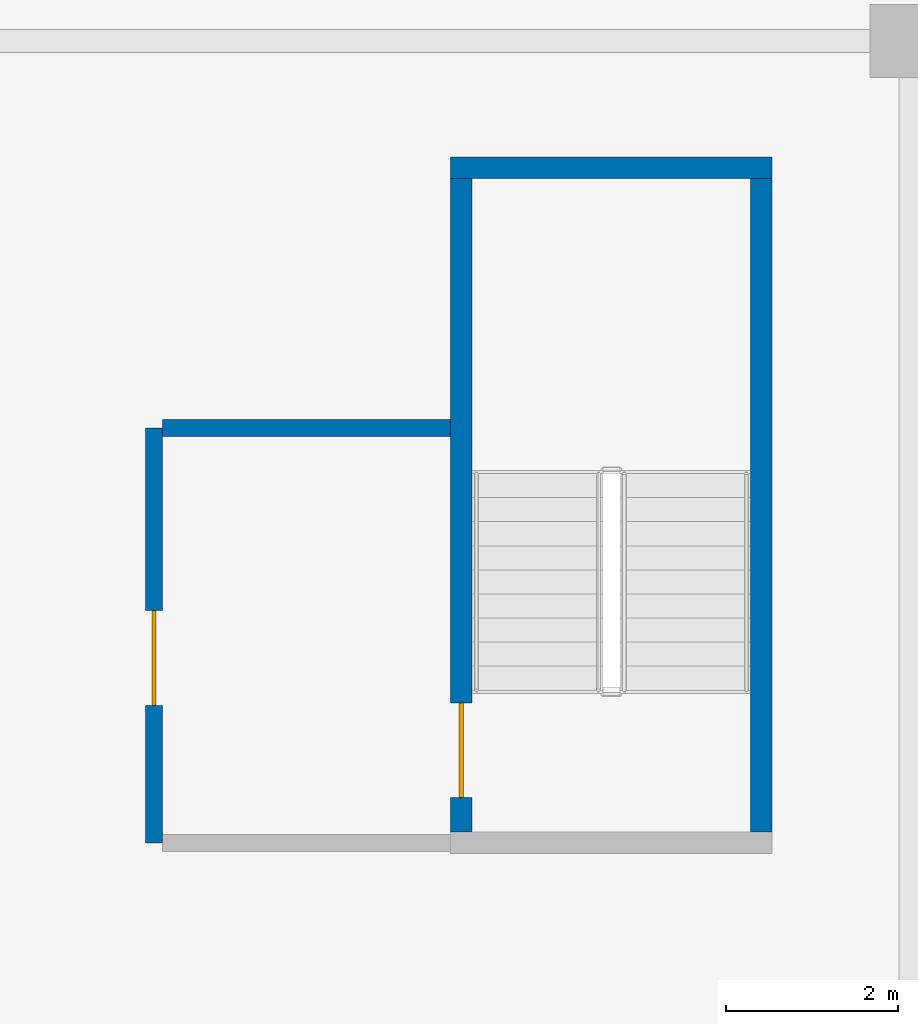
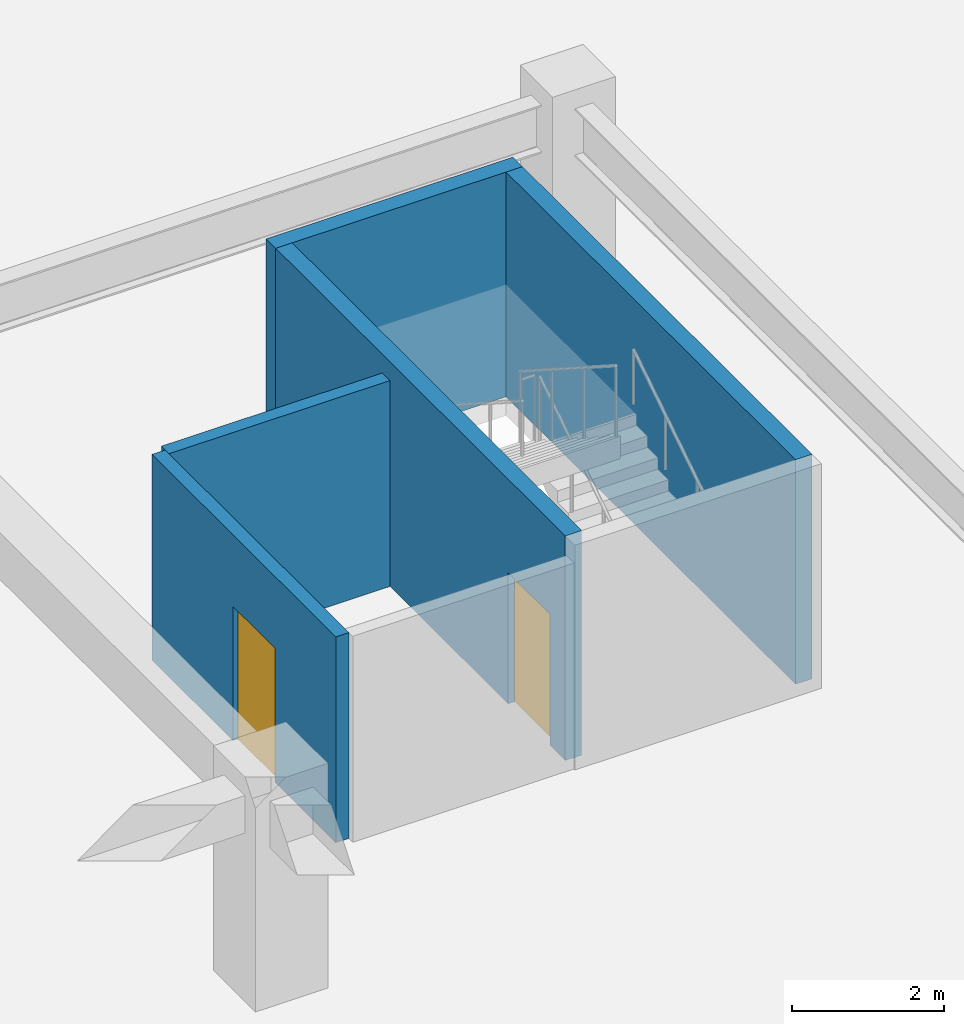
# One storey, part 13 of 22: 5 walls, 2 doors, 2 openings.
"""IFC4 building model written with IfcOpenShell, lengths in metres."""

from ifc_helpers import new_model, si_unit, direction, frame, frame_2d, origin, place, context, subcontext, project, spatial, rectangle, extrude, material, layer, layer_set, type_object, element, fill, save


model = new_model("IFC4")

# Units and contexts
model_context = context("Model", 3, precision=1e-05, world=origin(), true_north=direction((0.0, 1.0)))
body_context = subcontext(model_context, "Body", "Model", "MODEL_VIEW")
ifc_project = project(units=[si_unit("LENGTHUNIT", "METRE"), si_unit("AREAUNIT", "SQUARE_METRE"), si_unit("VOLUMEUNIT", "CUBIC_METRE"), si_unit("PLANEANGLEUNIT", "RADIAN"), si_unit("MASSUNIT", "GRAM", prefix="KILO")], contexts=[model_context])

# Site, building, storey
site_placement = place(None, origin())
site = spatial("IfcSite", under=ifc_project, at=site_placement, CompositionType="ELEMENT")
building_placement = place(site_placement, origin())
building = spatial("IfcBuilding", under=site, at=building_placement, Name="Korimba Cascade Residences", CompositionType="ELEMENT")
storey_placement = place(building_placement, frame((0.0, 0.0, -7.199951171875)))
storey = spatial("IfcBuildingStorey", under=building, at=storey_placement, Name="B02", CompositionType="ELEMENT", Elevation=-7.199951171875)

# Wall, opening, door
ifc_material_1 = material(Name="Concrete C40/50", Category="concrete")
ifc_layer_1 = layer(ifc_material_1, 0.199951171875)
ifc_layer_set_1 = layer_set([ifc_layer_1], Name="Concrete C40/50")
wall_type_1 = type_object("IfcWallType", Name="WAL-PART-200", PredefinedType="PARTITIONING", material=ifc_layer_set_1)
wall_1_placement = place(storey_placement, frame((130.800048828125, 81.875, 0.0), z_axis=(0.0, 0.0, 1.0), x_axis=(0.0, 1.0, 0.0)))
wall_1 = element("IfcWall", 1, at=wall_1_placement, inside=storey, type_object=wall_type_1, Name="B02 Partition Wall CW-B02-PL4W", PredefinedType="PARTITIONING", context=body_context, shape_type="SweptSolid", body=[
    extrude(rectangle(XDim=4.824951171875, YDim=0.199951171875, at=frame_2d((2.41259765625, 0.0))), origin(), (0.0, 0.0, 1.0), 3.300048828125),
])
opening_1_placement = place(wall_1_placement, frame((1.60009765625, 0.0, 0.0)))
opening_1 = element("IfcOpeningElement", 2, at=opening_1_placement, cuts=wall_1, Name="Opening D-FD6", PredefinedType="OPENING", context=body_context, shape_type="SweptSolid", body=[
    extrude(rectangle(XDim=1.10009765625, YDim=2.14990234375, at=frame_2d((0.550048828125, 1.074951171875))), frame((0.0, 0.10986328125, 0.0), z_axis=(0.0, -1.0, 0.0), x_axis=(1.0, 0.0, 0.0)), (0.0, 0.0, 1.0), 0.219970703125),
])
ifc_material_2 = material(Name="Fire-Rated Timber Stair Lobby Door", Category="wood")
door_type_1 = type_object("IfcDoorType", Name="DR-FD90-1100", OperationType="NOTDEFINED", PredefinedType="DOOR", material=ifc_material_2)
door_1_placement = place(opening_1_placement, origin())
door_1 = element("IfcDoor", 3, at=door_1_placement, inside=storey, type_object=door_type_1, Name="B02 North-East Stair Vestibule Door", OperationType="SINGLE_SWING_LEFT", OverallHeight=2.14990234375, OverallWidth=1.10009765625, PredefinedType="DOOR", context=body_context, shape_type="SweptSolid", body=[
    extrude(rectangle(XDim=1.10009765625, YDim=2.14990234375, at=frame_2d((0.550048828125, 1.074951171875))), frame((0.0, 0.02490234375, 0.0), z_axis=(0.0, -1.0, 0.0), x_axis=(1.0, 0.0, 0.0)), (0.0, 0.0, 1.0), 0.050048828125),
])
fill(opening_1, door_1)

# Wall
wall_2_placement = place(storey_placement, frame((130.89990234375, 86.699951171875, 0.0), z_axis=(0.0, 0.0, 1.0), x_axis=(1.0, 0.0, 0.0)))
element("IfcWall", 4, at=wall_2_placement, inside=storey, type_object=wall_type_1, Name="B02 Partition Wall CW-B02-PL4N", PredefinedType="PARTITIONING", context=body_context, shape_type="SweptSolid", body=[
    extrude(rectangle(XDim=3.35009765625, YDim=0.199951171875, at=frame_2d((1.675048828125, 0.0))), origin(), (0.0, 0.0, 1.0), 3.300048828125),
])

# Wall, opening, door
ifc_material_3 = material(Name="Concrete C50/60", Category="concrete")
ifc_layer_2 = layer(ifc_material_3, 0.25)
ifc_layer_set_2 = layer_set([ifc_layer_2], Name="Concrete C50/60")
wall_type_2 = type_object("IfcWallType", Name="WAL-SHAFT-250", PredefinedType="SHEAR", material=ifc_layer_set_2)
wall_3_placement = place(storey_placement, frame((134.375, 82.0, 0.0), z_axis=(0.0, 0.0, 1.0), x_axis=(0.0, 1.0, 0.0)))
wall_3 = element("IfcWall", 5, at=wall_3_placement, inside=storey, type_object=wall_type_2, Name="B02 Core Shear Wall CW-B02-STP4W", PredefinedType="SHEAR", context=body_context, shape_type="SweptSolid", body=[
    extrude(rectangle(XDim=7.60009765625, YDim=0.25, at=frame_2d((3.800048828125, 0.0))), origin(), (0.0, 0.0, 1.0), 3.599853515625),
])
opening_2_placement = place(wall_3_placement, frame((0.39990234375, 0.0, 0.0)))
opening_2 = element("IfcOpeningElement", 6, at=opening_2_placement, cuts=wall_3, Name="Opening D-FD1", PredefinedType="OPENING", context=body_context, shape_type="SweptSolid", body=[
    extrude(rectangle(XDim=1.10009765625, YDim=2.10009765625, at=frame_2d((0.550048828125, 1.050048828125))), frame((0.0, 0.135009765625, 0.0), z_axis=(0.0, -1.0, 0.0), x_axis=(1.0, 0.0, 0.0)), (0.0, 0.0, 1.0), 0.27001953125),
])
ifc_material_4 = material(Name="Fire-Rated Steel Core Door", Category="steel")
door_type_2 = type_object("IfcDoorType", Name="DR-FD120-1100", OperationType="NOTDEFINED", PredefinedType="DOOR", material=ifc_material_4)
door_2_placement = place(opening_2_placement, origin())
door_2 = element("IfcDoor", 7, at=door_2_placement, inside=storey, type_object=door_type_2, Name="B02 Podium Stair ST-P4 Door", OperationType="SINGLE_SWING_RIGHT", OverallHeight=2.10009765625, OverallWidth=1.10009765625, PredefinedType="DOOR", context=body_context, shape_type="SweptSolid", body=[
    extrude(rectangle(XDim=1.10009765625, YDim=2.10009765625, at=frame_2d((0.550048828125, 1.050048828125))), frame((0.0, 0.02490234375, 0.0), z_axis=(0.0, -1.0, 0.0), x_axis=(1.0, 0.0, 0.0)), (0.0, 0.0, 1.0), 0.050048828125),
])
fill(opening_2, door_2)

# Walls
wall_4_placement = place(storey_placement, frame((137.864990234375, 82.0, 0.0), z_axis=(0.0, 0.0, 1.0), x_axis=(0.0, 1.0, 0.0)))
element("IfcWall", 8, at=wall_4_placement, inside=storey, type_object=wall_type_2, Name="B02 Core Shear Wall CW-B02-STP4E", PredefinedType="SHEAR", context=body_context, shape_type="SweptSolid", body=[
    extrude(rectangle(XDim=7.60009765625, YDim=0.25, at=frame_2d((3.800048828125, 0.0))), origin(), (0.0, 0.0, 1.0), 3.599853515625),
])
wall_5_placement = place(storey_placement, frame((134.25, 89.72509765625, 0.0), z_axis=(0.0, 0.0, 1.0), x_axis=(1.0, 0.0, 0.0)))
element("IfcWall", 9, at=wall_5_placement, inside=storey, type_object=wall_type_2, Name="B02 Core Shear Wall CW-B02-STP4N", PredefinedType="SHEAR", context=body_context, shape_type="SweptSolid", body=[
    extrude(rectangle(XDim=3.739990234375, YDim=0.25, at=frame_2d((1.8701171875, 0.0))), origin(), (0.0, 0.0, 1.0), 3.599853515625),
])

save(model, "model.ifc")
